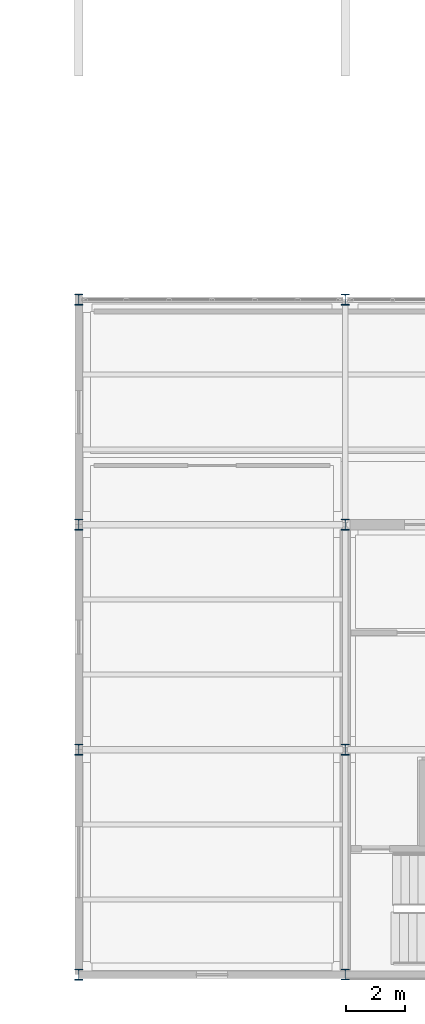
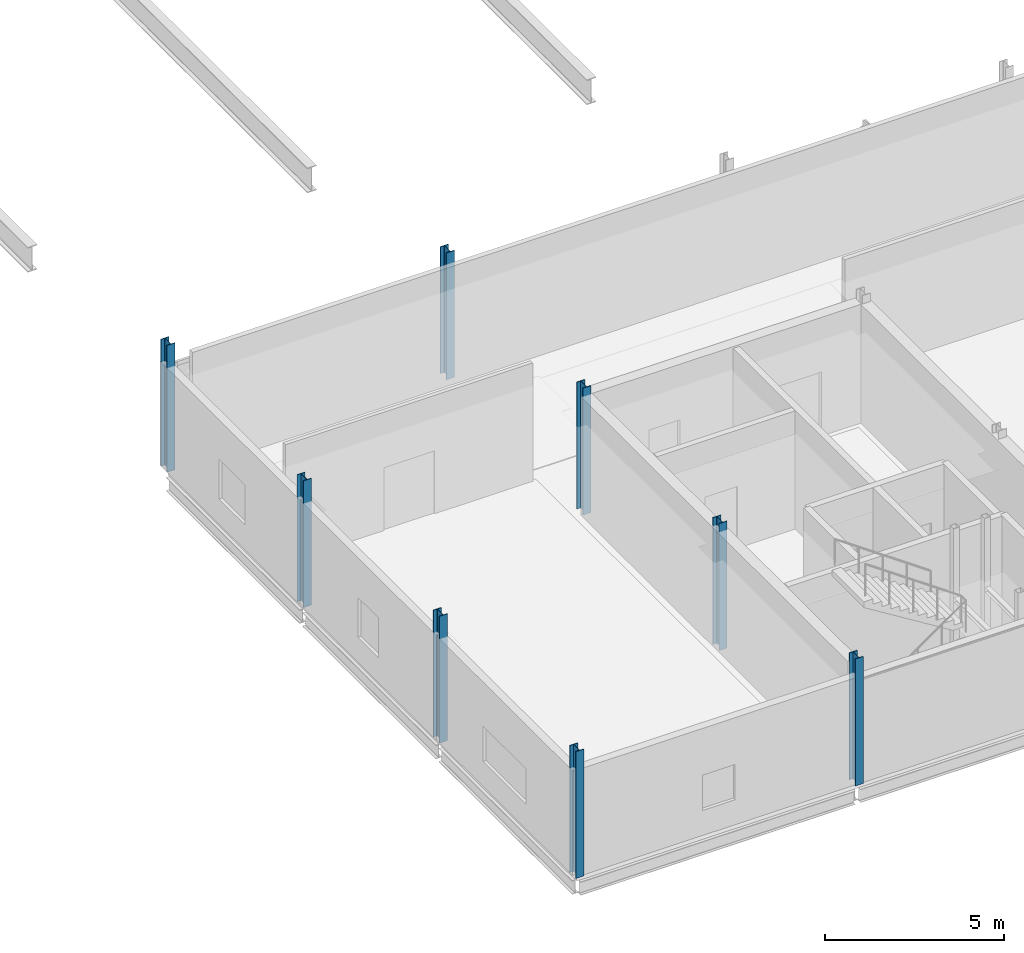
# One storey, part 2 of 96: 8 columns.
"""IFC4 building model written with IfcOpenShell, lengths in metres."""

from ifc_helpers import new_model, si_unit, direction, frame, origin, origin_2d, place, context, subcontext, project, spatial, i_section, extrude, material, material_profile, profile_set, type_object, element, save


model = new_model("IFC4")

# Units and contexts
model_context = context("Model", 3, precision=1e-05, world=origin(), true_north=direction((0.0, 1.0)))
body_context = subcontext(model_context, "Body", "Model", "MODEL_VIEW")
ifc_project = project(units=[si_unit("LENGTHUNIT", "METRE"), si_unit("AREAUNIT", "SQUARE_METRE"), si_unit("VOLUMEUNIT", "CUBIC_METRE"), si_unit("PLANEANGLEUNIT", "RADIAN"), si_unit("MASSUNIT", "GRAM", prefix="KILO")], contexts=[model_context])

# Site, building, storey
site_placement = place(None, origin())
site = spatial("IfcSite", under=ifc_project, at=site_placement, CompositionType="ELEMENT")
building_placement = place(site_placement, origin())
building = spatial("IfcBuilding", under=site, at=building_placement, Name="Caisbarro Railhouse Central Library", CompositionType="ELEMENT")
storey_placement = place(building_placement, frame((0.0, 0.0, 13.679931640625)))
storey = spatial("IfcBuildingStorey", under=building, at=storey_placement, Name="L03", CompositionType="ELEMENT", Elevation=13.679931640625)

# Columns
ifc_material = material(Name="Steel ASTM A572 Grade 50", Category="steel")
ifc_material_profile = material_profile(ifc_material, i_section(OverallWidth=0.257080078125, OverallDepth=0.363037109375, WebThickness=0.012939453125, FlangeThickness=0.021728515625, FilletRadius=0.014892578125, at=origin_2d()), Name="W360X122.0")
ifc_profile_set = profile_set([ifc_material_profile], Name="Steel ASTM A572 Grade 50")
column_type = type_object("IfcColumnType", Name="COL-C04", PredefinedType="COLUMN", material=ifc_profile_set)
for number, where, z_axis, x_axis, name in (
    (1, (54.0, 0.0, 0.0), (0.0, 0.0, 1.0), (1.0, 0.0, 0.0), "C04 column L03 (54.0,0.0)"),
    (2, (54.0, 7.60009765625, 0.0), (0.0, 0.0, 1.0), (1.0, 0.0, 0.0), "C04 column L03 (54.0,7.6)"),
    (3, (54.0, 15.199951171875, 0.0), (0.0, 0.0, 1.0), (1.0, 0.0, 0.0), "C04 column L03 (54.0,15.2)"),
    (4, (54.0, 22.800048828125, 0.0), (0.0, 0.0, 1.0), (1.0, 0.0, 0.0), "C04 column L03 (54.0,22.8)"),
    (5, (63.0, 0.0, 0.0), (0.0, 0.0, 1.0), (1.0, 0.0, 0.0), "C04 column L03 (63.0,0.0)"),
    (6, (63.0, 7.60009765625, 0.0), (0.0, 0.0, 1.0), (1.0, 0.0, 0.0), "C04 column L03 (63.0,7.6)"),
    (7, (63.0, 15.199951171875, 0.0), (0.0, 0.0, 1.0), (1.0, 0.0, 0.0), "C04 column L03 (63.0,15.2)"),
    (8, (63.0, 22.800048828125, 0.0), (0.0, 0.0, 1.0), (1.0, 0.0, 0.0), "C04 column L03 (63.0,22.8)"),
):
    element("IfcColumn", number, at=place(storey_placement, frame(where, z_axis=z_axis, x_axis=x_axis)), inside=storey, type_object=column_type, Name=name, PredefinedType="COLUMN", context=body_context, shape_type="SweptSolid", body=[
        extrude(i_section(OverallWidth=0.257080078125, OverallDepth=0.363037109375, WebThickness=0.012939453125, FlangeThickness=0.021728515625, FilletRadius=0.014892578125, at=origin_2d()), origin(), (0.0, 0.0, 1.0), 4.320068359375),
    ])

save(model, "model.ifc")
